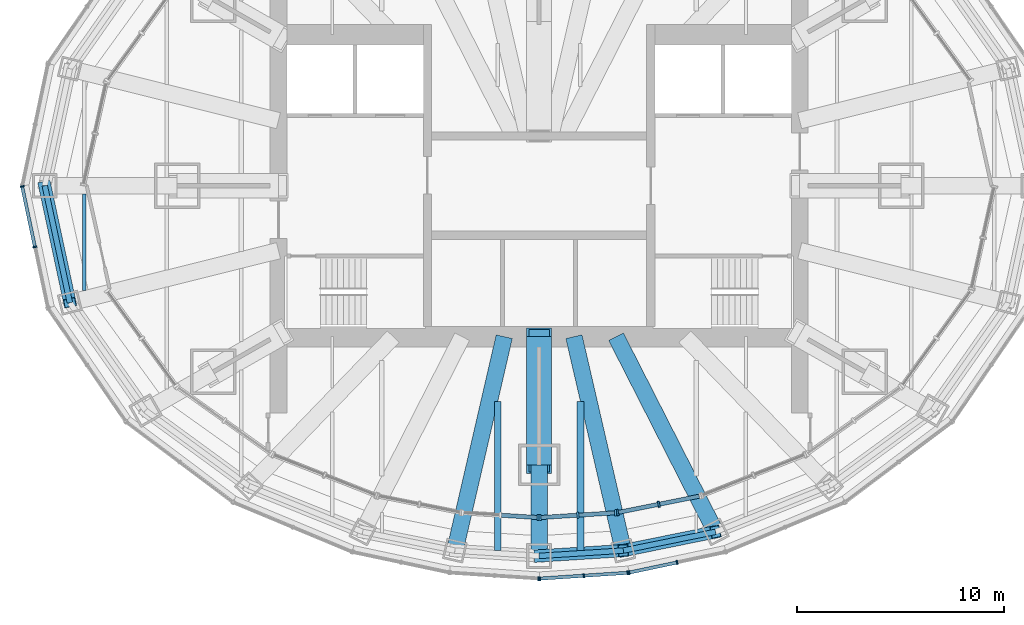
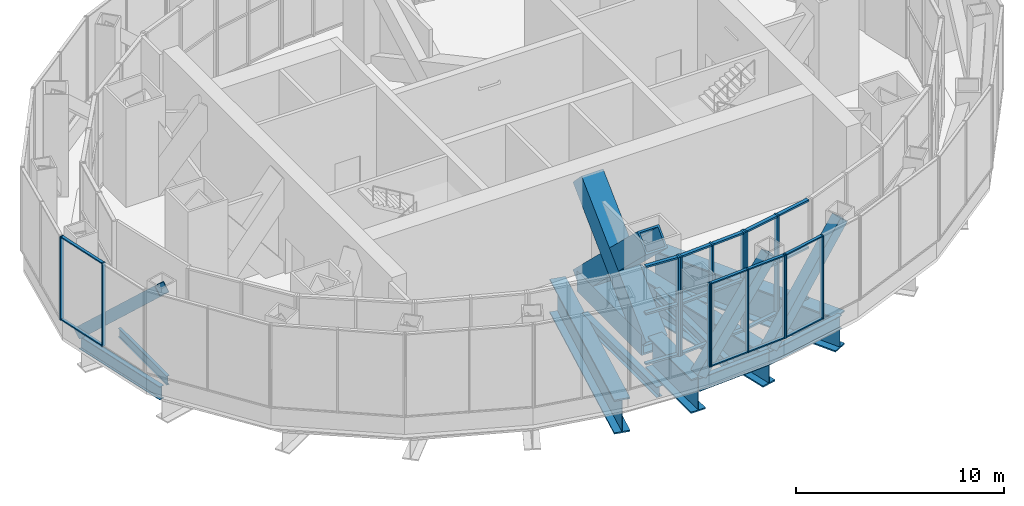
# One storey, part 4 of 21: 42 members, 11 beams, 7 elements without a shape of their own.
"""IFC4 building model written with IfcOpenShell, lengths in metres."""

from ifc_helpers import new_model, si_unit, direction, frame, origin, origin_2d, place, context, subcontext, project, spatial, rectangle, hollow_rectangle, i_section, extrude, material, material_profile, profile_set, type_object, element, aggregate, save


model = new_model("IFC4")

# Units and contexts
model_context = context("Model", 3, precision=1e-05, world=origin(), true_north=direction((0.0, 1.0)))
body_context = subcontext(model_context, "Body", "Model", "MODEL_VIEW")
ifc_project = project(units=[si_unit("LENGTHUNIT", "METRE"), si_unit("AREAUNIT", "SQUARE_METRE"), si_unit("VOLUMEUNIT", "CUBIC_METRE"), si_unit("PLANEANGLEUNIT", "RADIAN"), si_unit("MASSUNIT", "GRAM", prefix="KILO")], contexts=[model_context])

# Site, building, storey
site_placement = place(None, origin())
site = spatial("IfcSite", under=ifc_project, at=site_placement, CompositionType="ELEMENT")
building_placement = place(site_placement, origin())
building = spatial("IfcBuilding", under=site, at=building_placement, Name="Lantaw Convention Tower", CompositionType="ELEMENT")
storey_placement = place(building_placement, frame((0.0, 0.0, 284.39990234375)))
storey = spatial("IfcBuildingStorey", under=building, at=storey_placement, Name="L66", CompositionType="ELEMENT", Elevation=284.39990234375)

# Beams
ifc_material_1 = material(Name="Steel ASTM A992", Category="steel")
ifc_material_profile_1 = material_profile(ifc_material_1, i_section(OverallWidth=0.2666015625, OverallDepth=0.76953125, WebThickness=0.015625, FlangeThickness=0.025390625, FilletRadius=0.0126953125, at=origin_2d()), Name="W30X132")
ifc_profile_set_1 = profile_set([ifc_material_profile_1], Name="Steel ASTM A992")
beam_type_1 = type_object("IfcBeamType", Name="Beam E W30X132", PredefinedType="SPANDREL", material=ifc_profile_set_1)
beam_1_placement = place(storey_placement, frame((-23.89990234375, 0.0, -0.584716796875), z_axis=(0.209658780372, -0.977774614015, 0.0), x_axis=(0.977774614015, 0.209658780372, 0.0)))
element("IfcBeam", 1, at=beam_1_placement, inside=storey, type_object=beam_type_1, Name="Edge beam 13", PredefinedType="SPANDREL", context=body_context, shape_type="SweptSolid", body=[
    extrude(i_section(OverallWidth=0.2666015625, OverallDepth=0.76953125, WebThickness=0.015625, FlangeThickness=0.025390625, FilletRadius=0.0126953125, at=origin_2d()), origin(), (0.0, 0.0, 1.0), 5.78515625),
])
beam_2_placement = place(storey_placement, frame((0.0, -17.89990234375, -0.584716796875), z_axis=(0.998006453216, 0.063111958769, 0.0), x_axis=(-0.063111958769, 0.998006453216, 0.0)))
element("IfcBeam", 2, at=beam_2_placement, inside=storey, type_object=beam_type_1, Name="Edge beam 19", PredefinedType="SPANDREL", context=body_context, shape_type="SweptSolid", body=[
    extrude(i_section(OverallWidth=0.2666015625, OverallDepth=0.76953125, WebThickness=0.015625, FlangeThickness=0.025390625, FilletRadius=0.0126953125, at=origin_2d()), origin(), (0.0, 0.0, 1.0), 4.0810546875),
])
beam_3_placement = place(storey_placement, frame((4.072998046875, -17.642333984375, -0.584716796875), z_axis=(0.980006466425, 0.198965639657, 0.0), x_axis=(-0.198965639657, 0.980006466425, 0.0)))
element("IfcBeam", 3, at=beam_3_placement, inside=storey, type_object=beam_type_1, Name="Edge beam 20", PredefinedType="SPANDREL", context=body_context, shape_type="SweptSolid", body=[
    extrude(i_section(OverallWidth=0.2666015625, OverallDepth=0.76953125, WebThickness=0.015625, FlangeThickness=0.025390625, FilletRadius=0.0126953125, at=origin_2d()), origin(), (0.0, 0.0, 1.0), 4.546142578125),
])
ifc_material_2 = material(Name="Steel ASTM A572 Grade 50", Category="steel")
ifc_material_profile_2 = material_profile(ifc_material_2, i_section(OverallWidth=0.800048828125, OverallDepth=2.0, WebThickness=0.030029296875, FlangeThickness=0.080078125, at=origin_2d()), Name="PG2000X800X30X80")
ifc_profile_set_2 = profile_set([ifc_material_profile_2], Name="Steel ASTM A572 Grade 50")
beam_type_2 = type_object("IfcBeamType", Name="Beam HG PG2000X800X30X80", PredefinedType="BEAM", material=ifc_profile_set_2)
beam_4_placement = place(storey_placement, frame((-1.685302734375, -7.300048828125, -1.199951171875), z_axis=(-0.22495021771, -0.974370257937, 0.0), x_axis=(0.974370257937, -0.22495021771, 0.0)))
element("IfcBeam", 4, at=beam_4_placement, inside=storey, type_object=beam_type_2, Name="Floor girder on ray 18", PredefinedType="BEAM", context=body_context, shape_type="SweptSolid", body=[
    extrude(i_section(OverallWidth=0.800048828125, OverallDepth=2.0, WebThickness=0.030029296875, FlangeThickness=0.080078125, at=origin_2d()), origin(), (0.0, 0.0, 1.0), 10.6142578125),
])
beam_5_placement = place(storey_placement, frame((0.0, -13.5, -1.199951171875), z_axis=(0.0, -1.0, 0.0), x_axis=(1.0, 0.0, 0.0)))
element("IfcBeam", 5, at=beam_5_placement, inside=storey, type_object=beam_type_2, Name="Floor girder on ray 19", PredefinedType="BEAM", context=body_context, shape_type="SweptSolid", body=[
    extrude(i_section(OverallWidth=0.800048828125, OverallDepth=2.0, WebThickness=0.030029296875, FlangeThickness=0.080078125, at=origin_2d()), origin(), (0.0, 0.0, 1.0), 4.39990234375),
])
beam_6_placement = place(storey_placement, frame((1.685302734375, -7.300048828125, -1.199951171875), z_axis=(0.22495021771, -0.974370257937, 0.0), x_axis=(0.974370257937, 0.22495021771, 0.0)))
element("IfcBeam", 6, at=beam_6_placement, inside=storey, type_object=beam_type_2, Name="Floor girder on ray 20", PredefinedType="BEAM", context=body_context, shape_type="SweptSolid", body=[
    extrude(i_section(OverallWidth=0.800048828125, OverallDepth=2.0, WebThickness=0.030029296875, FlangeThickness=0.080078125, at=origin_2d()), origin(), (0.0, 0.0, 1.0), 10.6142578125),
])
beam_7_placement = place(storey_placement, frame((3.719482421875, -7.300048828125, -1.199951171875), z_axis=(0.453995526284, -0.891003963018, 0.0), x_axis=(0.891003963018, 0.453995526284, 0.0)))
element("IfcBeam", 7, at=beam_7_placement, inside=storey, type_object=beam_type_2, Name="Floor girder on ray 21", PredefinedType="BEAM", context=body_context, shape_type="SweptSolid", body=[
    extrude(i_section(OverallWidth=0.800048828125, OverallDepth=2.0, WebThickness=0.030029296875, FlangeThickness=0.080078125, at=origin_2d()), origin(), (0.0, 0.0, 1.0), 10.59228515625),
])
ifc_material_profile_3 = material_profile(ifc_material_1, i_section(OverallWidth=0.1650390625, OverallDepth=0.52587890625, WebThickness=0.0087890625, FlangeThickness=0.011474609375, FilletRadius=0.0126953125, at=origin_2d()), Name="W21X44")
ifc_profile_set_3 = profile_set([ifc_material_profile_3], Name="Steel ASTM A992")
beam_type_3 = type_object("IfcBeamType", Name="Beam J W21X44", PredefinedType="JOIST", material=ifc_profile_set_3)
beam_8_placement = place(storey_placement, frame((-22.0, -5.072998046875, -0.462890625), z_axis=(0.0, 1.0, 0.0), x_axis=(-1.0, 0.0, 0.0)))
element("IfcBeam", 8, at=beam_8_placement, inside=storey, type_object=beam_type_3, Name="Floor joist", PredefinedType="JOIST", context=body_context, shape_type="SweptSolid", body=[
    extrude(i_section(OverallWidth=0.1650390625, OverallDepth=0.52587890625, WebThickness=0.0087890625, FlangeThickness=0.011474609375, FilletRadius=0.0126953125, at=origin_2d()), origin(), (0.0, 0.0, 1.0), 4.673095703125),
])
ifc_material_profile_4 = material_profile(ifc_material_1, i_section(OverallWidth=0.3251953125, OverallDepth=0.612060546875, WebThickness=0.0126953125, FlangeThickness=0.01904296875, FilletRadius=0.0126953125, at=origin_2d()), Name="W24X104")
ifc_profile_set_4 = profile_set([ifc_material_profile_4], Name="Steel ASTM A992")
beam_type_4 = type_object("IfcBeamType", Name="Beam J W24X104", PredefinedType="JOIST", material=ifc_profile_set_4)
for number, where, z_axis, x_axis, name in (
    (9, (-2.0, -17.639892578125, -0.505859375), (0.0, 1.0, 0.0), (-1.0, 0.0, 0.0), "Floor joist"),
    (10, (2.0, -17.639892578125, -0.505859375), (0.0, 1.0, 0.0), (-1.0, 0.0, 0.0), "Floor joist"),
):
    element("IfcBeam", number, at=place(storey_placement, frame(where, z_axis=z_axis, x_axis=x_axis)), inside=storey, type_object=beam_type_4, Name=name, PredefinedType="JOIST", context=body_context, shape_type="SweptSolid", body=[
        extrude(i_section(OverallWidth=0.3251953125, OverallDepth=0.612060546875, WebThickness=0.0126953125, FlangeThickness=0.01904296875, FilletRadius=0.0126953125, at=origin_2d()), origin(), (0.0, 0.0, 1.0), 7.19873046875),
    ])
ifc_material_3 = material(Name="Steel EN 10025-3 S460N", Category="steel")
ifc_material_profile_5 = material_profile(ifc_material_3, hollow_rectangle(XDim=1.199951171875, YDim=1.199951171875, WallThickness=0.10009765625, at=origin_2d()), Name="BOX1200X100")
ifc_profile_set_5 = profile_set([ifc_material_profile_5], Name="Steel EN 10025-3 S460N")
beam_type_5 = type_object("IfcBeamType", Name="Beam OC BOX1200X100", PredefinedType="BEAM", material=ifc_profile_set_5)
beam_9_placement = place(storey_placement, frame((0.0, -7.300048828125, -0.7998046875), z_axis=(0.0, -1.0, 0.0), x_axis=(1.0, 0.0, 0.0)))
element("IfcBeam", 11, at=beam_9_placement, inside=storey, type_object=beam_type_5, Name="Outrigger chord on ray 19", PredefinedType="BEAM", context=body_context, shape_type="SweptSolid", body=[
    extrude(hollow_rectangle(XDim=1.199951171875, YDim=1.199951171875, WallThickness=0.10009765625, at=origin_2d()), origin(), (0.0, 0.0, 1.0), 6.199951171875),
])

# Curtain wall, member
ifc_material_4 = material(Name="Aluminium framed curtain wall", Category="aluminium")
curtain_wall_type_1 = type_object("IfcCurtainWallType", Name="LANTERN glazing curtain wall, pale aluminium", PredefinedType="USERDEFINED", material=ifc_material_4)
curtain_wall_1_placement = place(storey_placement, origin())
curtain_wall_1 = element("IfcCurtainWall", 12, at=curtain_wall_1_placement, inside=storey, type_object=curtain_wall_type_1, Name="LANTERN glazing curtain wall, pale aluminium L66", ObjectType="LANTERN GLAZING", PredefinedType="USERDEFINED")
ifc_material_5 = material(Name="Aluminium 6063-T6", Category="aluminium")
ifc_material_profile_6 = material_profile(ifc_material_5, rectangle(XDim=0.300048828125, YDim=0.10009765625, at=origin_2d()), Name="CW-LN mullion 100x300")
ifc_profile_set_6 = profile_set([ifc_material_profile_6], Name="Aluminium 6063-T6")
member_type_1 = type_object("IfcMemberType", Name="CW-LN mullion 100x300", PredefinedType="MULLION", material=ifc_profile_set_6)
member_1_placement = place(storey_placement, frame((-0.0498046875, -16.044921875, 0.0), z_axis=(0.0, 0.0, 1.0), x_axis=(0.062488626454, 0.998045676091, 0.0)))
member_1 = element("IfcMember", 13, at=member_1_placement, type_object=member_type_1, Name="CW-LN mullion 3", PredefinedType="MULLION", context=body_context, shape_type="SweptSolid", body=[
    extrude(rectangle(XDim=0.300048828125, YDim=0.10009765625, at=origin_2d()), origin(), (0.0, 0.0, 1.0), 5.800048828125),
])

# Curtain wall, members
curtain_wall_2_placement = place(storey_placement, origin())
curtain_wall_2 = element("IfcCurtainWall", 14, at=curtain_wall_2_placement, inside=storey, type_object=curtain_wall_type_1, Name="LANTERN glazing curtain wall, pale aluminium L66", ObjectType="LANTERN GLAZING", PredefinedType="USERDEFINED")
member_2_placement = place(storey_placement, frame((0.0498046875, -16.044921875, 0.0), z_axis=(0.0, 0.0, 1.0), x_axis=(-0.062488626454, 0.998045676091, 0.0)))
member_2 = element("IfcMember", 15, at=member_2_placement, type_object=member_type_1, Name="CW-LN mullion 1", PredefinedType="MULLION", context=body_context, shape_type="SweptSolid", body=[
    extrude(rectangle(XDim=0.300048828125, YDim=0.10009765625, at=origin_2d()), origin(), (0.0, 0.0, 1.0), 5.800048828125),
])
member_3_placement = place(storey_placement, frame((1.87255859375, -15.930908203125, 0.0), z_axis=(0.0, 0.0, 1.0), x_axis=(-0.062488626454, 0.998045676091, 0.0)))
member_3 = element("IfcMember", 16, at=member_3_placement, type_object=member_type_1, Name="CW-LN mullion 2", PredefinedType="MULLION", context=body_context, shape_type="SweptSolid", body=[
    extrude(rectangle(XDim=0.300048828125, YDim=0.10009765625, at=origin_2d()), origin(), (0.0, 0.0, 1.0), 5.800048828125),
])
member_4_placement = place(storey_placement, frame((3.6953125, -15.816650390625, 0.0), z_axis=(0.0, 0.0, 1.0), x_axis=(-0.062488626454, 0.998045676091, 0.0)))
member_4 = element("IfcMember", 17, at=member_4_placement, type_object=member_type_1, Name="CW-LN mullion 3", PredefinedType="MULLION", context=body_context, shape_type="SweptSolid", body=[
    extrude(rectangle(XDim=0.300048828125, YDim=0.10009765625, at=origin_2d()), origin(), (0.0, 0.0, 1.0), 5.800048828125),
])

curtain_wall_3_placement = place(storey_placement, origin())
curtain_wall_3 = element("IfcCurtainWall", 18, at=curtain_wall_3_placement, inside=storey, type_object=curtain_wall_type_1, Name="LANTERN glazing curtain wall, pale aluminium L66", ObjectType="LANTERN GLAZING", PredefinedType="USERDEFINED")
member_5_placement = place(storey_placement, frame((3.79443359375, -15.8037109375, 0.0), z_axis=(0.0, 0.0, 1.0), x_axis=(-0.196367228305, 0.980530423622, 0.0)))
member_5 = element("IfcMember", 19, at=member_5_placement, type_object=member_type_1, Name="CW-LN mullion 1", PredefinedType="MULLION", context=body_context, shape_type="SweptSolid", body=[
    extrude(rectangle(XDim=0.300048828125, YDim=0.10009765625, at=origin_2d()), origin(), (0.0, 0.0, 1.0), 5.800048828125),
])
member_6_placement = place(storey_placement, frame((5.791015625, -15.404052734375, 0.0), z_axis=(0.0, 0.0, 1.0), x_axis=(-0.196367228305, 0.980530423622, 0.0)))
member_6 = element("IfcMember", 20, at=member_6_placement, type_object=member_type_1, Name="CW-LN mullion 2", PredefinedType="MULLION", context=body_context, shape_type="SweptSolid", body=[
    extrude(rectangle(XDim=0.300048828125, YDim=0.10009765625, at=origin_2d()), origin(), (0.0, 0.0, 1.0), 5.800048828125),
])

# Member
ifc_material_profile_7 = material_profile(ifc_material_5, rectangle(XDim=0.199951171875, YDim=0.10009765625, at=origin_2d()), Name="CW-LN transom 100x200")
ifc_profile_set_7 = profile_set([ifc_material_profile_7], Name="Aluminium 6063-T6")
member_type_2 = type_object("IfcMemberType", Name="CW-LN transom 100x200", PredefinedType="USERDEFINED", material=ifc_profile_set_7)
member_7_placement = place(storey_placement, frame((-1.82275390625, -15.93408203125, 0.050048828125), z_axis=(0.9980443153, -0.062510356719, 0.0), x_axis=(0.062510356719, 0.9980443153, 0.0)))
member_7 = element("IfcMember", 21, at=member_7_placement, type_object=member_type_2, Name="CW-LN transom 2.1", ObjectType="TRANSOM", PredefinedType="USERDEFINED", context=body_context, shape_type="SweptSolid", body=[
    extrude(rectangle(XDim=0.199951171875, YDim=0.10009765625, at=origin_2d()), origin(), (0.0, 0.0, 1.0), 1.726318359375),
])

member_8_placement = place(storey_placement, frame((-1.82275390625, -15.93408203125, 3.0), z_axis=(0.9980443153, -0.062510356719, 0.0), x_axis=(0.062510356719, 0.9980443153, 0.0)))
member_8 = element("IfcMember", 22, at=member_8_placement, type_object=member_type_2, Name="CW-LN transom 2.2", ObjectType="TRANSOM", PredefinedType="USERDEFINED", context=body_context, shape_type="SweptSolid", body=[
    extrude(rectangle(XDim=0.199951171875, YDim=0.10009765625, at=origin_2d()), origin(), (0.0, 0.0, 1.0), 1.726318359375),
])

member_9_placement = place(storey_placement, frame((-1.82275390625, -15.93408203125, 5.75), z_axis=(0.9980443153, -0.062510356719, 0.0), x_axis=(0.062510356719, 0.9980443153, 0.0)))
member_9 = element("IfcMember", 23, at=member_9_placement, type_object=member_type_2, Name="CW-LN transom 2.3", ObjectType="TRANSOM", PredefinedType="USERDEFINED", context=body_context, shape_type="SweptSolid", body=[
    extrude(rectangle(XDim=0.199951171875, YDim=0.10009765625, at=origin_2d()), origin(), (0.0, 0.0, 1.0), 1.726318359375),
])

aggregate(curtain_wall_1, [member_1, member_7, member_8, member_9])

member_10_placement = place(storey_placement, frame((0.099853515625, -16.0419921875, 0.050048828125), z_axis=(0.9980443153, 0.062510356719, 0.0), x_axis=(-0.062510356719, 0.9980443153, 0.0)))
member_10 = element("IfcMember", 24, at=member_10_placement, type_object=member_type_2, Name="CW-LN transom 1.1", ObjectType="TRANSOM", PredefinedType="USERDEFINED", context=body_context, shape_type="SweptSolid", body=[
    extrude(rectangle(XDim=0.199951171875, YDim=0.10009765625, at=origin_2d()), origin(), (0.0, 0.0, 1.0), 1.726318359375),
])

member_11_placement = place(storey_placement, frame((0.099853515625, -16.0419921875, 3.0), z_axis=(0.9980443153, 0.062510356719, 0.0), x_axis=(-0.062510356719, 0.9980443153, 0.0)))
member_11 = element("IfcMember", 25, at=member_11_placement, type_object=member_type_2, Name="CW-LN transom 1.2", ObjectType="TRANSOM", PredefinedType="USERDEFINED", context=body_context, shape_type="SweptSolid", body=[
    extrude(rectangle(XDim=0.199951171875, YDim=0.10009765625, at=origin_2d()), origin(), (0.0, 0.0, 1.0), 1.726318359375),
])

member_12_placement = place(storey_placement, frame((0.099853515625, -16.0419921875, 5.75), z_axis=(0.9980443153, 0.062510356719, 0.0), x_axis=(-0.062510356719, 0.9980443153, 0.0)))
member_12 = element("IfcMember", 26, at=member_12_placement, type_object=member_type_2, Name="CW-LN transom 1.3", ObjectType="TRANSOM", PredefinedType="USERDEFINED", context=body_context, shape_type="SweptSolid", body=[
    extrude(rectangle(XDim=0.199951171875, YDim=0.10009765625, at=origin_2d()), origin(), (0.0, 0.0, 1.0), 1.726318359375),
])

member_13_placement = place(storey_placement, frame((1.922607421875, -15.927734375, 0.050048828125), z_axis=(0.9980443153, 0.062510356719, 0.0), x_axis=(-0.062510356719, 0.9980443153, 0.0)))
member_13 = element("IfcMember", 27, at=member_13_placement, type_object=member_type_2, Name="CW-LN transom 2.1", ObjectType="TRANSOM", PredefinedType="USERDEFINED", context=body_context, shape_type="SweptSolid", body=[
    extrude(rectangle(XDim=0.199951171875, YDim=0.10009765625, at=origin_2d()), origin(), (0.0, 0.0, 1.0), 1.726318359375),
])

member_14_placement = place(storey_placement, frame((1.922607421875, -15.927734375, 3.0), z_axis=(0.9980443153, 0.062510356719, 0.0), x_axis=(-0.062510356719, 0.9980443153, 0.0)))
member_14 = element("IfcMember", 28, at=member_14_placement, type_object=member_type_2, Name="CW-LN transom 2.2", ObjectType="TRANSOM", PredefinedType="USERDEFINED", context=body_context, shape_type="SweptSolid", body=[
    extrude(rectangle(XDim=0.199951171875, YDim=0.10009765625, at=origin_2d()), origin(), (0.0, 0.0, 1.0), 1.726318359375),
])

member_15_placement = place(storey_placement, frame((1.922607421875, -15.927734375, 5.75), z_axis=(0.9980443153, 0.062510356719, 0.0), x_axis=(-0.062510356719, 0.9980443153, 0.0)))
member_15 = element("IfcMember", 29, at=member_15_placement, type_object=member_type_2, Name="CW-LN transom 2.3", ObjectType="TRANSOM", PredefinedType="USERDEFINED", context=body_context, shape_type="SweptSolid", body=[
    extrude(rectangle(XDim=0.199951171875, YDim=0.10009765625, at=origin_2d()), origin(), (0.0, 0.0, 1.0), 1.726318359375),
])

aggregate(curtain_wall_2, [member_2, member_3, member_4, member_10, member_11, member_12, member_13, member_14, member_15])

member_16_placement = place(storey_placement, frame((3.84326171875, -15.7939453125, 0.050048828125), z_axis=(0.980541861959, 0.196310104034, 0.0), x_axis=(-0.196310104034, 0.980541861959, 0.0)))
member_16 = element("IfcMember", 30, at=member_16_placement, type_object=member_type_2, Name="CW-LN transom 1.1", ObjectType="TRANSOM", PredefinedType="USERDEFINED", context=body_context, shape_type="SweptSolid", body=[
    extrude(rectangle(XDim=0.199951171875, YDim=0.10009765625, at=origin_2d()), origin(), (0.0, 0.0, 1.0), 1.936279296875),
])

member_17_placement = place(storey_placement, frame((3.84326171875, -15.7939453125, 3.0), z_axis=(0.980541861959, 0.196310104034, 0.0), x_axis=(-0.196310104034, 0.980541861959, 0.0)))
member_17 = element("IfcMember", 31, at=member_17_placement, type_object=member_type_2, Name="CW-LN transom 1.2", ObjectType="TRANSOM", PredefinedType="USERDEFINED", context=body_context, shape_type="SweptSolid", body=[
    extrude(rectangle(XDim=0.199951171875, YDim=0.10009765625, at=origin_2d()), origin(), (0.0, 0.0, 1.0), 1.936279296875),
])

member_18_placement = place(storey_placement, frame((3.84326171875, -15.7939453125, 5.75), z_axis=(0.980541861959, 0.196310104034, 0.0), x_axis=(-0.196310104034, 0.980541861959, 0.0)))
member_18 = element("IfcMember", 32, at=member_18_placement, type_object=member_type_2, Name="CW-LN transom 1.3", ObjectType="TRANSOM", PredefinedType="USERDEFINED", context=body_context, shape_type="SweptSolid", body=[
    extrude(rectangle(XDim=0.199951171875, YDim=0.10009765625, at=origin_2d()), origin(), (0.0, 0.0, 1.0), 1.936279296875),
])

member_19_placement = place(storey_placement, frame((5.83984375, -15.39404296875, 0.050048828125), z_axis=(0.980541861959, 0.196310104034, 0.0), x_axis=(-0.196310104034, 0.980541861959, 0.0)))
member_19 = element("IfcMember", 33, at=member_19_placement, type_object=member_type_2, Name="CW-LN transom 2.1", ObjectType="TRANSOM", PredefinedType="USERDEFINED", context=body_context, shape_type="SweptSolid", body=[
    extrude(rectangle(XDim=0.199951171875, YDim=0.10009765625, at=origin_2d()), origin(), (0.0, 0.0, 1.0), 1.936279296875),
])

member_20_placement = place(storey_placement, frame((5.83984375, -15.39404296875, 3.0), z_axis=(0.980541861959, 0.196310104034, 0.0), x_axis=(-0.196310104034, 0.980541861959, 0.0)))
member_20 = element("IfcMember", 34, at=member_20_placement, type_object=member_type_2, Name="CW-LN transom 2.2", ObjectType="TRANSOM", PredefinedType="USERDEFINED", context=body_context, shape_type="SweptSolid", body=[
    extrude(rectangle(XDim=0.199951171875, YDim=0.10009765625, at=origin_2d()), origin(), (0.0, 0.0, 1.0), 1.936279296875),
])

member_21_placement = place(storey_placement, frame((5.83984375, -15.39404296875, 5.75), z_axis=(0.980541861959, 0.196310104034, 0.0), x_axis=(-0.196310104034, 0.980541861959, 0.0)))
member_21 = element("IfcMember", 35, at=member_21_placement, type_object=member_type_2, Name="CW-LN transom 2.3", ObjectType="TRANSOM", PredefinedType="USERDEFINED", context=body_context, shape_type="SweptSolid", body=[
    extrude(rectangle(XDim=0.199951171875, YDim=0.10009765625, at=origin_2d()), origin(), (0.0, 0.0, 1.0), 1.936279296875),
])

aggregate(curtain_wall_3, [member_5, member_6, member_16, member_17, member_18, member_19, member_20, member_21])

# Curtain wall, members
curtain_wall_type_2 = type_object("IfcCurtainWallType", Name="Plant floor louvre wall, pale aluminium", PredefinedType="USERDEFINED", material=ifc_material_4)
curtain_wall_4_placement = place(storey_placement, origin())
curtain_wall_4 = element("IfcCurtainWall", 36, at=curtain_wall_4_placement, inside=storey, type_object=curtain_wall_type_2, Name="Plant floor louvre wall, pale aluminium L66", ObjectType="LOUVRE WALL", PredefinedType="USERDEFINED")
ifc_material_profile_8 = material_profile(ifc_material_5, rectangle(XDim=0.199951171875, YDim=0.070068359375, at=origin_2d()), Name="CW-LV mullion 70x200")
ifc_profile_set_8 = profile_set([ifc_material_profile_8], Name="Aluminium 6063-T6")
member_type_3 = type_object("IfcMemberType", Name="CW-LV mullion 70x200", PredefinedType="MULLION", material=ifc_profile_set_8)
member_22_placement = place(storey_placement, frame((-24.99267578125, -0.0341796875, 1.10009765625), z_axis=(0.0, 0.0, 1.0), x_axis=(0.978591117263, 0.205814054946, 0.0)))
member_22 = element("IfcMember", 37, at=member_22_placement, type_object=member_type_3, Name="CW-LV mullion 1", PredefinedType="MULLION", context=body_context, shape_type="SweptSolid", body=[
    extrude(rectangle(XDim=0.199951171875, YDim=0.070068359375, at=origin_2d()), origin(), (0.0, 0.0, 1.0), 4.89990234375),
])
member_23_placement = place(storey_placement, frame((-24.377197265625, -2.96142578125, 1.10009765625), z_axis=(0.0, 0.0, 1.0), x_axis=(0.978591117263, 0.205814054946, 0.0)))
member_23 = element("IfcMember", 38, at=member_23_placement, type_object=member_type_3, Name="CW-LV mullion 2", PredefinedType="MULLION", context=body_context, shape_type="SweptSolid", body=[
    extrude(rectangle(XDim=0.199951171875, YDim=0.070068359375, at=origin_2d()), origin(), (0.0, 0.0, 1.0), 4.89990234375),
])

# Curtain wall, member
curtain_wall_5_placement = place(storey_placement, origin())
curtain_wall_5 = element("IfcCurtainWall", 39, at=curtain_wall_5_placement, inside=storey, type_object=curtain_wall_type_2, Name="Plant floor louvre wall, pale aluminium L66", ObjectType="LOUVRE WALL", PredefinedType="USERDEFINED")
member_24_placement = place(storey_placement, frame((-0.034912109375, -18.997802734375, 1.10009765625), z_axis=(0.0, 0.0, 1.0), x_axis=(0.066024902273, 0.997817975525, 0.0)))
member_24 = element("IfcMember", 40, at=member_24_placement, type_object=member_type_3, Name="CW-LV mullion 3", PredefinedType="MULLION", context=body_context, shape_type="SweptSolid", body=[
    extrude(rectangle(XDim=0.199951171875, YDim=0.070068359375, at=origin_2d()), origin(), (0.0, 0.0, 1.0), 4.89990234375),
])
aggregate(curtain_wall_5, [member_24])

# Curtain wall, members
curtain_wall_6_placement = place(storey_placement, origin())
curtain_wall_6 = element("IfcCurtainWall", 41, at=curtain_wall_6_placement, inside=storey, type_object=curtain_wall_type_2, Name="Plant floor louvre wall, pale aluminium L66", ObjectType="LOUVRE WALL", PredefinedType="USERDEFINED")
member_25_placement = place(storey_placement, frame((0.034912109375, -18.997802734375, 1.10009765625), z_axis=(0.0, 0.0, 1.0), x_axis=(-0.066024902273, 0.997817975525, 0.0)))
member_25 = element("IfcMember", 42, at=member_25_placement, type_object=member_type_3, Name="CW-LV mullion 1", PredefinedType="MULLION", context=body_context, shape_type="SweptSolid", body=[
    extrude(rectangle(XDim=0.199951171875, YDim=0.070068359375, at=origin_2d()), origin(), (0.0, 0.0, 1.0), 4.89990234375),
])
member_26_placement = place(storey_placement, frame((2.16015625, -18.857177734375, 1.10009765625), z_axis=(0.0, 0.0, 1.0), x_axis=(-0.066024902273, 0.997817975525, 0.0)))
member_26 = element("IfcMember", 43, at=member_26_placement, type_object=member_type_3, Name="CW-LV mullion 2", PredefinedType="MULLION", context=body_context, shape_type="SweptSolid", body=[
    extrude(rectangle(XDim=0.199951171875, YDim=0.070068359375, at=origin_2d()), origin(), (0.0, 0.0, 1.0), 4.89990234375),
])
member_27_placement = place(storey_placement, frame((4.28564453125, -18.71630859375, 1.10009765625), z_axis=(0.0, 0.0, 1.0), x_axis=(-0.066024902273, 0.997817975525, 0.0)))
member_27 = element("IfcMember", 44, at=member_27_placement, type_object=member_type_3, Name="CW-LV mullion 3", PredefinedType="MULLION", context=body_context, shape_type="SweptSolid", body=[
    extrude(rectangle(XDim=0.199951171875, YDim=0.070068359375, at=origin_2d()), origin(), (0.0, 0.0, 1.0), 4.89990234375),
])

curtain_wall_7_placement = place(storey_placement, origin())
curtain_wall_7 = element("IfcCurtainWall", 45, at=curtain_wall_7_placement, inside=storey, type_object=curtain_wall_type_2, Name="Plant floor louvre wall, pale aluminium L66", ObjectType="LOUVRE WALL", PredefinedType="USERDEFINED")
member_28_placement = place(storey_placement, frame((4.354736328125, -18.706787109375, 1.10009765625), z_axis=(0.0, 0.0, 1.0), x_axis=(-0.207039911975, 0.978332497083, 0.0)))
member_28 = element("IfcMember", 46, at=member_28_placement, type_object=member_type_3, Name="CW-LV mullion 1", PredefinedType="MULLION", context=body_context, shape_type="SweptSolid", body=[
    extrude(rectangle(XDim=0.199951171875, YDim=0.070068359375, at=origin_2d()), origin(), (0.0, 0.0, 1.0), 4.89990234375),
])
member_29_placement = place(storey_placement, frame((6.674072265625, -18.216064453125, 1.10009765625), z_axis=(0.0, 0.0, 1.0), x_axis=(-0.207039911975, 0.978332497083, 0.0)))
member_29 = element("IfcMember", 47, at=member_29_placement, type_object=member_type_3, Name="CW-LV mullion 2", PredefinedType="MULLION", context=body_context, shape_type="SweptSolid", body=[
    extrude(rectangle(XDim=0.199951171875, YDim=0.070068359375, at=origin_2d()), origin(), (0.0, 0.0, 1.0), 4.89990234375),
])

# Member
ifc_material_profile_9 = material_profile(ifc_material_5, rectangle(XDim=0.159912109375, YDim=0.070068359375, at=origin_2d()), Name="CW-LV transom 70x160")
ifc_profile_set_9 = profile_set([ifc_material_profile_9], Name="Aluminium 6063-T6")
member_type_4 = type_object("IfcMemberType", Name="CW-LV transom 70x160", PredefinedType="USERDEFINED", material=ifc_profile_set_9)
member_30_placement = place(storey_placement, frame((-24.985595703125, -0.068603515625, 1.135009765625), z_axis=(0.205863045856, -0.978580812376, 0.0), x_axis=(0.978580812376, 0.205863045856, 0.0)))
member_30 = element("IfcMember", 48, at=member_30_placement, type_object=member_type_4, Name="CW-LV transom 1.1", ObjectType="TRANSOM", PredefinedType="USERDEFINED", context=body_context, shape_type="SweptSolid", body=[
    extrude(rectangle(XDim=0.159912109375, YDim=0.070068359375, at=origin_2d()), origin(), (0.0, 0.0, 1.0), 2.9208984375),
])

member_31_placement = place(storey_placement, frame((-24.985595703125, -0.068603515625, 5.965087890625), z_axis=(0.205863045856, -0.978580812376, 0.0), x_axis=(0.978580812376, 0.205863045856, 0.0)))
member_31 = element("IfcMember", 49, at=member_31_placement, type_object=member_type_4, Name="CW-LV transom 1.2", ObjectType="TRANSOM", PredefinedType="USERDEFINED", context=body_context, shape_type="SweptSolid", body=[
    extrude(rectangle(XDim=0.159912109375, YDim=0.070068359375, at=origin_2d()), origin(), (0.0, 0.0, 1.0), 2.9208984375),
])

aggregate(curtain_wall_4, [member_22, member_23, member_30, member_31])

member_32_placement = place(storey_placement, frame((0.06982421875, -18.995361328125, 1.135009765625), z_axis=(0.997818593988, 0.066015554918, 0.0), x_axis=(-0.066015554918, 0.997818593988, 0.0)))
member_32 = element("IfcMember", 50, at=member_32_placement, type_object=member_type_4, Name="CW-LV transom 1.1", ObjectType="TRANSOM", PredefinedType="USERDEFINED", context=body_context, shape_type="SweptSolid", body=[
    extrude(rectangle(XDim=0.159912109375, YDim=0.070068359375, at=origin_2d()), origin(), (0.0, 0.0, 1.0), 2.059814453125),
])

member_33_placement = place(storey_placement, frame((0.06982421875, -18.995361328125, 5.965087890625), z_axis=(0.997818593988, 0.066015554918, 0.0), x_axis=(-0.066015554918, 0.997818593988, 0.0)))
member_33 = element("IfcMember", 51, at=member_33_placement, type_object=member_type_4, Name="CW-LV transom 1.2", ObjectType="TRANSOM", PredefinedType="USERDEFINED", context=body_context, shape_type="SweptSolid", body=[
    extrude(rectangle(XDim=0.159912109375, YDim=0.070068359375, at=origin_2d()), origin(), (0.0, 0.0, 1.0), 2.059814453125),
])

member_34_placement = place(storey_placement, frame((2.195068359375, -18.854736328125, 1.135009765625), z_axis=(0.997819110413, 0.066007748753, 0.0), x_axis=(-0.066007748753, 0.997819110413, 0.0)))
member_34 = element("IfcMember", 52, at=member_34_placement, type_object=member_type_4, Name="CW-LV transom 2.1", ObjectType="TRANSOM", PredefinedType="USERDEFINED", context=body_context, shape_type="SweptSolid", body=[
    extrude(rectangle(XDim=0.159912109375, YDim=0.070068359375, at=origin_2d()), origin(), (0.0, 0.0, 1.0), 2.06005859375),
])

member_35_placement = place(storey_placement, frame((2.195068359375, -18.854736328125, 5.965087890625), z_axis=(0.997819110413, 0.066007748753, 0.0), x_axis=(-0.066007748753, 0.997819110413, 0.0)))
member_35 = element("IfcMember", 53, at=member_35_placement, type_object=member_type_4, Name="CW-LV transom 2.2", ObjectType="TRANSOM", PredefinedType="USERDEFINED", context=body_context, shape_type="SweptSolid", body=[
    extrude(rectangle(XDim=0.159912109375, YDim=0.070068359375, at=origin_2d()), origin(), (0.0, 0.0, 1.0), 2.06005859375),
])

aggregate(curtain_wall_6, [member_25, member_26, member_27, member_32, member_33, member_34, member_35])

member_36_placement = place(storey_placement, frame((4.388916015625, -18.69970703125, 1.135009765625), z_axis=(0.978336479598, 0.207021092375, 0.0), x_axis=(-0.207021092375, 0.978336479598, 0.0)))
member_36 = element("IfcMember", 54, at=member_36_placement, type_object=member_type_4, Name="CW-LV transom 1.1", ObjectType="TRANSOM", PredefinedType="USERDEFINED", context=body_context, shape_type="SweptSolid", body=[
    extrude(rectangle(XDim=0.159912109375, YDim=0.070068359375, at=origin_2d()), origin(), (0.0, 0.0, 1.0), 2.30078125),
])

member_37_placement = place(storey_placement, frame((4.388916015625, -18.69970703125, 5.965087890625), z_axis=(0.978336479598, 0.207021092375, 0.0), x_axis=(-0.207021092375, 0.978336479598, 0.0)))
member_37 = element("IfcMember", 55, at=member_37_placement, type_object=member_type_4, Name="CW-LV transom 1.2", ObjectType="TRANSOM", PredefinedType="USERDEFINED", context=body_context, shape_type="SweptSolid", body=[
    extrude(rectangle(XDim=0.159912109375, YDim=0.070068359375, at=origin_2d()), origin(), (0.0, 0.0, 1.0), 2.30078125),
])

aggregate(curtain_wall_7, [member_28, member_29, member_36, member_37])

# Members
ifc_material_profile_10 = material_profile(ifc_material_2, hollow_rectangle(XDim=0.60009765625, YDim=0.60009765625, WallThickness=0.031982421875, at=origin_2d()), Name="BOX600X32")
ifc_profile_set_10 = profile_set([ifc_material_profile_10], Name="Steel ASTM A572 Grade 50")
member_type_5 = type_object("IfcMemberType", Name="Member CR BOX600X32", PredefinedType="BRACE", material=ifc_profile_set_10)
member_38_placement = place(storey_placement, frame((-23.89990234375, 0.0, -0.005859375), z_axis=(0.151947611747, -0.708630075798, 0.689024918968), x_axis=(0.977774614015, 0.209658780372, 0.0)))
element("IfcMember", 56, at=member_38_placement, inside=storey, type_object=member_type_5, Name="Crown ring truss diagonal 13", PredefinedType="BRACE", context=body_context, shape_type="SweptSolid", body=[
    extrude(hollow_rectangle(XDim=0.60009765625, YDim=0.60009765625, WallThickness=0.031982421875, at=origin_2d()), origin(), (0.0, 0.0, 1.0), 7.982177734375),
])
member_39_placement = place(storey_placement, frame((0.0, -17.89990234375, -0.005859375), z_axis=(0.594705015881, 0.037607971693, 0.80306387327), x_axis=(-0.063111958769, 0.998006453216, 0.0)))
element("IfcMember", 57, at=member_39_placement, inside=storey, type_object=member_type_5, Name="Crown ring truss diagonal 19", PredefinedType="BRACE", context=body_context, shape_type="SweptSolid", body=[
    extrude(hollow_rectangle(XDim=0.60009765625, YDim=0.60009765625, WallThickness=0.031982421875, at=origin_2d()), origin(), (0.0, 0.0, 1.0), 6.848876953125),
])
member_40_placement = place(storey_placement, frame((4.072998046875, -17.642333984375, -0.005859375), z_axis=(0.624371494169, 0.126762912263, 0.77077324898), x_axis=(-0.198965639657, 0.980006466425, 0.0)))
element("IfcMember", 58, at=member_40_placement, inside=storey, type_object=member_type_5, Name="Crown ring truss diagonal 20", PredefinedType="BRACE", context=body_context, shape_type="SweptSolid", body=[
    extrude(hollow_rectangle(XDim=0.60009765625, YDim=0.60009765625, WallThickness=0.031982421875, at=origin_2d()), origin(), (0.0, 0.0, 1.0), 7.1357421875),
])
ifc_material_profile_11 = material_profile(ifc_material_3, hollow_rectangle(XDim=1.199951171875, YDim=1.199951171875, WallThickness=0.10009765625, at=origin_2d()), Name="BOX1200X100")
ifc_profile_set_11 = profile_set([ifc_material_profile_11], Name="Steel EN 10025-3 S460N")
member_type_6 = type_object("IfcMemberType", Name="Member OT BOX1200X100", PredefinedType="BRACE", material=ifc_profile_set_11)
for number, where, z_axis, x_axis, name in (
    (59, (0.0, -7.300048828125, -0.7998046875), (0.0, -0.718599404824, 0.695424255679), (1.0, 0.0, 0.0), "Hat truss diagonal 19"),
    (60, (0.0, -7.300048828125, 5.2001953125), (0.0, -0.718599404824, -0.695424255679), (1.0, 0.0, 0.0), "Hat truss diagonal 19 (reverse)"),
):
    element("IfcMember", number, at=place(storey_placement, frame(where, z_axis=z_axis, x_axis=x_axis)), inside=storey, type_object=member_type_6, Name=name, PredefinedType="BRACE", context=body_context, shape_type="SweptSolid", body=[
        extrude(hollow_rectangle(XDim=1.199951171875, YDim=1.199951171875, WallThickness=0.10009765625, at=origin_2d()), origin(), (0.0, 0.0, 1.0), 8.6279296875),
    ])

save(model, "model.ifc")
